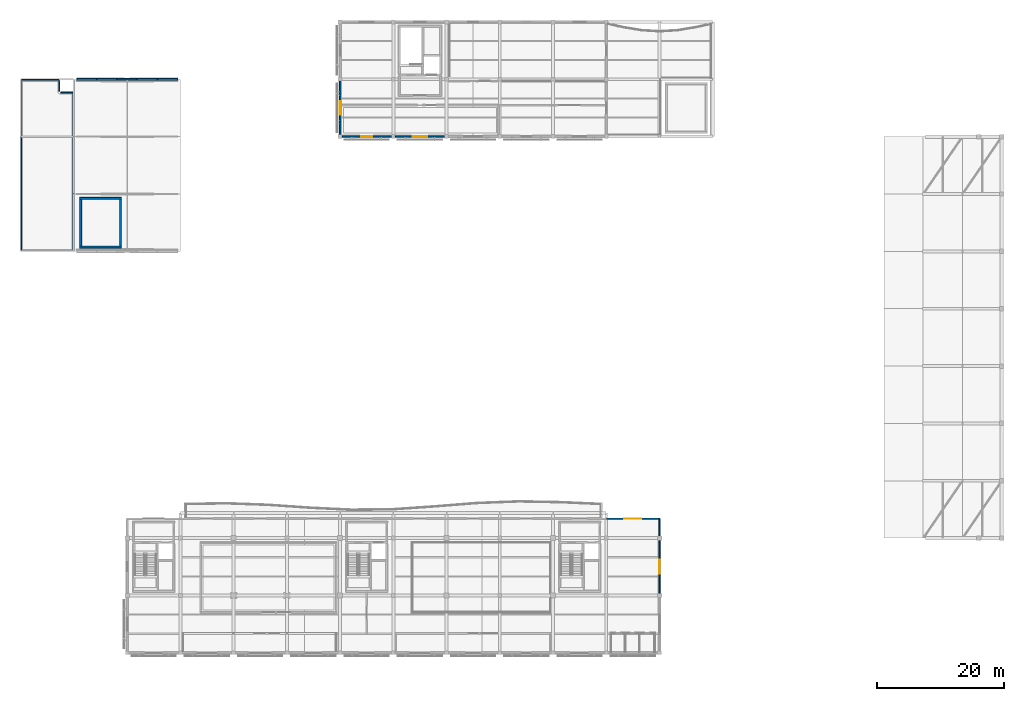
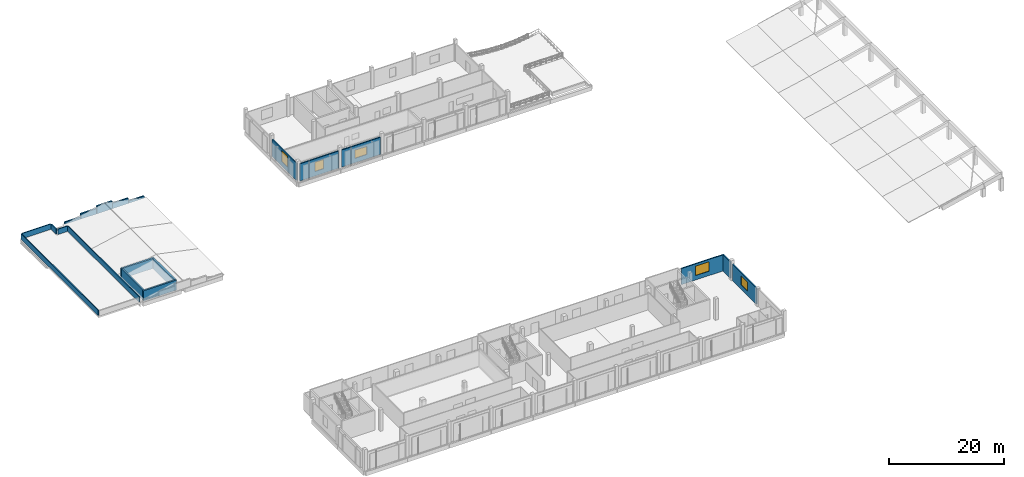
# One storey, part 18 of 28: 20 walls, 5 windows, 5 openings.
"""IFC4 building model written with IfcOpenShell, lengths in metres."""

from ifc_helpers import new_model, si_unit, direction, frame, frame_2d, origin, place, context, subcontext, project, spatial, rectangle, extrude, material, layer, layer_set, type_object, element, fill, save


model = new_model("IFC4")

# Units and contexts
model_context = context("Model", 3, precision=1e-05, world=origin(), true_north=direction((0.0, 1.0)))
body_context = subcontext(model_context, "Body", "Model", "MODEL_VIEW")
ifc_project = project(units=[si_unit("LENGTHUNIT", "METRE"), si_unit("AREAUNIT", "SQUARE_METRE"), si_unit("VOLUMEUNIT", "CUBIC_METRE"), si_unit("PLANEANGLEUNIT", "RADIAN"), si_unit("MASSUNIT", "GRAM", prefix="KILO")], contexts=[model_context])

# Site, building, storey
site_placement = place(None, origin())
site = spatial("IfcSite", under=ifc_project, at=site_placement, CompositionType="ELEMENT")
building_placement = place(site_placement, origin())
building = spatial("IfcBuilding", under=site, at=building_placement, Name="Khurvash Pelagic Aquarium", CompositionType="ELEMENT")
storey_placement = place(building_placement, frame((0.0, 0.0, 20.10009765625)))
storey = spatial("IfcBuildingStorey", under=building, at=storey_placement, Name="L04", CompositionType="ELEMENT", Elevation=20.10009765625)

# Wall, opening, window
ifc_material_1 = material(Name="Glass-fibre reinforced concrete C40/50", Category="concrete")
ifc_layer_1 = layer(ifc_material_1, 0.219970703125)
ifc_layer_set_1 = layer_set([ifc_layer_1], Name="Glass-fibre reinforced concrete C40/50")
wall_type_1 = type_object("IfcWallType", Name="EW-220", PredefinedType="STANDARD", material=ifc_layer_set_1)
wall_1_placement = place(storey_placement, frame((109.199951171875, 12.0048828125, 0.0), z_axis=(0.0, 0.0, 1.0), x_axis=(0.0, 1.0, 0.0)))
wall_1 = element("IfcWall", 1, at=wall_1_placement, inside=storey, type_object=wall_type_1, Name="L04 Exterior Architectural Facade Wall EW-220 0174", PredefinedType="STANDARD", context=body_context, shape_type="SweptSolid", body=[
    extrude(rectangle(XDim=8.340087890625, YDim=0.219970703125, at=frame_2d((4.169921875, 0.0))), origin(), (0.0, 0.0, 1.0), 3.50390625),
])
opening_1_placement = place(wall_1_placement, frame((3.070068359375, 0.0, 0.949951171875)))
opening_1 = element("IfcOpeningElement", 2, at=opening_1_placement, cuts=wall_1, Name="Opening WN-08", PredefinedType="OPENING", context=body_context, shape_type="SweptSolid", body=[
    extrude(rectangle(XDim=2.199951171875, YDim=1.89990234375, at=frame_2d((1.10009765625, 0.949951171875))), frame((0.0, 0.1201171875, 0.0), z_axis=(0.0, -1.0, 0.0), x_axis=(1.0, 0.0, 0.0)), (0.0, 0.0, 1.0), 0.239990234375),
])
ifc_material_2 = material(Name="Thermally broken aluminium and low-E glass", Category="aluminium")
window_type_1 = type_object("IfcWindowType", Name="WN-08", PartitioningType="SINGLE_PANEL", PredefinedType="WINDOW", material=ifc_material_2)
window_1_placement = place(opening_1_placement, origin())
window_1 = element("IfcWindow", 3, at=window_1_placement, inside=storey, type_object=window_type_1, Name="L04 Facade Window WN-08 0118", OverallHeight=1.89990234375, OverallWidth=2.199951171875, PartitioningType="SINGLE_PANEL", PredefinedType="WINDOW", context=body_context, shape_type="SweptSolid", body=[
    extrude(rectangle(XDim=2.199951171875, YDim=1.89990234375, at=frame_2d((1.10009765625, 0.949951171875))), frame((0.0, 0.030029296875, 0.0), z_axis=(0.0, -1.0, 0.0), x_axis=(1.0, 0.0, 0.0)), (0.0, 0.0, 1.0), 0.06005859375),
])
fill(opening_1, window_1)

# Wall
wall_2_placement = place(storey_placement, frame((109.199951171875, 21.054931640625, 0.0), z_axis=(0.0, 0.0, 1.0), x_axis=(0.0, 1.0, 0.0)))
element("IfcWall", 4, at=wall_2_placement, inside=storey, type_object=wall_type_1, Name="L04 Exterior Architectural Facade Wall EW-220 0175", PredefinedType="STANDARD", context=body_context, shape_type="SweptSolid", body=[
    extrude(rectangle(XDim=2.695068359375, YDim=0.219970703125, at=frame_2d((1.34765625, 0.0))), origin(), (0.0, 0.0, 1.0), 3.50390625),
])

# Wall, opening, window
wall_3_placement = place(storey_placement, frame((109.199951171875, 23.75, 0.0), z_axis=(0.0, 0.0, 1.0), x_axis=(-1.0, 0.0, 0.0)))
wall_3 = element("IfcWall", 5, at=wall_3_placement, inside=storey, type_object=wall_type_1, Name="L04 Exterior Architectural Facade Wall EW-220 0176", PredefinedType="STANDARD", context=body_context, shape_type="SweptSolid", body=[
    extrude(rectangle(XDim=8.39990234375, YDim=0.219970703125, at=frame_2d((4.199951171875, 0.0))), origin(), (0.0, 0.0, 1.0), 3.427978515625),
])
opening_2_placement = place(wall_3_placement, frame((2.85009765625, 0.0, 0.949951171875)))
opening_2 = element("IfcOpeningElement", 6, at=opening_2_placement, cuts=wall_3, Name="Opening WN-09", PredefinedType="OPENING", context=body_context, shape_type="SweptSolid", body=[
    extrude(rectangle(XDim=2.699951171875, YDim=2.0, at=frame_2d((1.35009765625, 1.0))), frame((0.0, 0.1201171875, 0.0), z_axis=(0.0, -1.0, 0.0), x_axis=(1.0, 0.0, 0.0)), (0.0, 0.0, 1.0), 0.239990234375),
])
window_type_2 = type_object("IfcWindowType", Name="WN-09", PartitioningType="SINGLE_PANEL", PredefinedType="WINDOW", material=ifc_material_2)
window_2_placement = place(opening_2_placement, origin())
window_2 = element("IfcWindow", 7, at=window_2_placement, inside=storey, type_object=window_type_2, Name="L04 Facade Window WN-09 0119", OverallHeight=2.0, OverallWidth=2.699951171875, PartitioningType="SINGLE_PANEL", PredefinedType="WINDOW", context=body_context, shape_type="SweptSolid", body=[
    extrude(rectangle(XDim=2.699951171875, YDim=2.0, at=frame_2d((1.35009765625, 1.0))), frame((0.0, 0.030029296875, 0.0), z_axis=(0.0, -1.0, 0.0), x_axis=(1.0, 0.0, 0.0)), (0.0, 0.0, 1.0), 0.06005859375),
])
fill(opening_2, window_2)

wall_4_placement = place(storey_placement, frame((59.10498046875, 84.050048828125, 0.0), z_axis=(0.0, 0.0, 1.0), x_axis=(1.0, 0.0, 0.0)))
wall_4 = element("IfcWall", 8, at=wall_4_placement, inside=storey, type_object=wall_type_1, Name="L04 Exterior Architectural Facade Wall EW-220 0189", PredefinedType="STANDARD", context=body_context, shape_type="SweptSolid", body=[
    extrude(rectangle(XDim=7.7900390625, YDim=0.219970703125, at=frame_2d((3.89501953125, 0.0))), origin(), (0.0, 0.0, 1.0), 3.630859375),
])
opening_3_placement = place(wall_4_placement, frame((3.02001953125, 0.0, 0.949951171875)))
opening_3 = element("IfcOpeningElement", 9, at=opening_3_placement, cuts=wall_4, Name="Opening WN-22", PredefinedType="OPENING", context=body_context, shape_type="SweptSolid", body=[
    extrude(rectangle(XDim=1.75, YDim=1.949951171875, at=frame_2d((0.875, 0.97509765625))), frame((0.0, 0.1201171875, 0.0), z_axis=(0.0, -1.0, 0.0), x_axis=(1.0, 0.0, 0.0)), (0.0, 0.0, 1.0), 0.239990234375),
])
window_type_3 = type_object("IfcWindowType", Name="WN-22", PartitioningType="SINGLE_PANEL", PredefinedType="WINDOW", material=ifc_material_2)
window_3_placement = place(opening_3_placement, origin())
window_3 = element("IfcWindow", 10, at=window_3_placement, inside=storey, type_object=window_type_3, Name="L04 Facade Window WN-22 0125", OverallHeight=1.949951171875, OverallWidth=1.75, PartitioningType="SINGLE_PANEL", PredefinedType="WINDOW", context=body_context, shape_type="SweptSolid", body=[
    extrude(rectangle(XDim=1.75, YDim=1.949951171875, at=frame_2d((0.875, 0.97509765625))), frame((0.0, 0.030029296875, 0.0), z_axis=(0.0, -1.0, 0.0), x_axis=(1.0, 0.0, 0.0)), (0.0, 0.0, 1.0), 0.06005859375),
])
fill(opening_3, window_3)

wall_5_placement = place(storey_placement, frame((67.5048828125, 84.050048828125, 0.0), z_axis=(0.0, 0.0, 1.0), x_axis=(1.0, 0.0, 0.0)))
wall_5 = element("IfcWall", 11, at=wall_5_placement, inside=storey, type_object=wall_type_1, Name="L04 Exterior Architectural Facade Wall EW-220 0190", PredefinedType="STANDARD", context=body_context, shape_type="SweptSolid", body=[
    extrude(rectangle(XDim=7.7900390625, YDim=0.219970703125, at=frame_2d((3.89501953125, 0.0))), origin(), (0.0, 0.0, 1.0), 3.630859375),
])
opening_4_placement = place(wall_5_placement, frame((2.719970703125, 0.0, 0.949951171875)))
opening_4 = element("IfcOpeningElement", 12, at=opening_4_placement, cuts=wall_5, Name="Opening WN-24", PredefinedType="OPENING", context=body_context, shape_type="SweptSolid", body=[
    extrude(rectangle(XDim=2.35009765625, YDim=1.699951171875, at=frame_2d((1.175048828125, 0.85009765625))), frame((0.0, 0.1201171875, 0.0), z_axis=(0.0, -1.0, 0.0), x_axis=(1.0, 0.0, 0.0)), (0.0, 0.0, 1.0), 0.239990234375),
])
window_type_4 = type_object("IfcWindowType", Name="WN-24", PartitioningType="SINGLE_PANEL", PredefinedType="WINDOW", material=ifc_material_2)
window_4_placement = place(opening_4_placement, origin())
window_4 = element("IfcWindow", 13, at=window_4_placement, inside=storey, type_object=window_type_4, Name="L04 Facade Window WN-24 0126", OverallHeight=1.699951171875, OverallWidth=2.35009765625, PartitioningType="SINGLE_PANEL", PredefinedType="WINDOW", context=body_context, shape_type="SweptSolid", body=[
    extrude(rectangle(XDim=2.35009765625, YDim=1.699951171875, at=frame_2d((1.175048828125, 0.85009765625))), frame((0.0, 0.030029296875, 0.0), z_axis=(0.0, -1.0, 0.0), x_axis=(1.0, 0.0, 0.0)), (0.0, 0.0, 1.0), 0.06005859375),
])
fill(opening_4, window_4)

wall_6_placement = place(storey_placement, frame((58.800048828125, 92.794921875, 0.0), z_axis=(0.0, 0.0, 1.0), x_axis=(0.0, -1.0, 0.0)))
wall_6 = element("IfcWall", 14, at=wall_6_placement, inside=storey, type_object=wall_type_1, Name="L04 Exterior Architectural Facade Wall EW-220 0202", PredefinedType="STANDARD", context=body_context, shape_type="SweptSolid", body=[
    extrude(rectangle(XDim=8.43994140625, YDim=0.219970703125, at=frame_2d((4.219970703125, 0.0))), origin(), (0.0, 0.0, 1.0), 3.630859375),
])
opening_5_placement = place(wall_6_placement, frame((3.179931640625, 0.0, 0.949951171875)))
opening_5 = element("IfcOpeningElement", 15, at=opening_5_placement, cuts=wall_6, Name="Opening WN-36", PredefinedType="OPENING", context=body_context, shape_type="SweptSolid", body=[
    extrude(rectangle(XDim=2.080078125, YDim=2.280029296875, at=frame_2d((1.0400390625, 1.14013671875))), frame((0.0, 0.1201171875, 0.0), z_axis=(0.0, -1.0, 0.0), x_axis=(1.0, 0.0, 0.0)), (0.0, 0.0, 1.0), 0.239990234375),
])
window_type_5 = type_object("IfcWindowType", Name="WN-36", PartitioningType="SINGLE_PANEL", PredefinedType="WINDOW", material=ifc_material_2)
window_5_placement = place(opening_5_placement, origin())
window_5 = element("IfcWindow", 16, at=window_5_placement, inside=storey, type_object=window_type_5, Name="L04 Facade Window WN-36 0136", OverallHeight=2.280029296875, OverallWidth=2.080078125, PartitioningType="SINGLE_PANEL", PredefinedType="WINDOW", context=body_context, shape_type="SweptSolid", body=[
    extrude(rectangle(XDim=2.080078125, YDim=2.280029296875, at=frame_2d((1.0400390625, 1.14013671875))), frame((0.0, 0.030029296875, 0.0), z_axis=(0.0, -1.0, 0.0), x_axis=(1.0, 0.0, 0.0)), (0.0, 0.0, 1.0), 0.06005859375),
])
fill(opening_5, window_5)

# Walls
ifc_layer_2 = layer(ifc_material_1, 0.280029296875)
ifc_layer_set_2 = layer_set([ifc_layer_2], Name="Glass-fibre reinforced concrete C40/50")
wall_type_2 = type_object("IfcWallType", Name="EW-280", PredefinedType="STANDARD", material=ifc_layer_set_2)
wall_7_placement = place(storey_placement, frame((20.3798828125, 93.10009765625, 0.0), z_axis=(0.0, 0.0, 1.0), x_axis=(-1.0, 0.0, 0.0)))
element("IfcWall", 17, at=wall_7_placement, inside=storey, type_object=wall_type_2, Name="L04 Education Pavilion North Gable Spandrel Wall EW-280 P1", PredefinedType="STANDARD", context=body_context, shape_type="SweptSolid", body=[
    extrude(rectangle(XDim=3.159912109375, YDim=0.280029296875, at=frame_2d((1.580078125, 0.0))), origin(), (0.0, 0.0, 1.0), 0.449951171875),
])
wall_8_placement = place(storey_placement, frame((23.580078125, 93.10009765625, 0.0), z_axis=(0.0, 0.0, 1.0), x_axis=(-1.0, 0.0, 0.0)))
element("IfcWall", 18, at=wall_8_placement, inside=storey, type_object=wall_type_2, Name="L04 Education Pavilion North Gable Spandrel Wall EW-280 P2", PredefinedType="STANDARD", context=body_context, shape_type="SweptSolid", body=[
    extrude(rectangle(XDim=3.16015625, YDim=0.280029296875, at=frame_2d((1.580078125, 0.0))), origin(), (0.0, 0.0, 1.0), 1.119873046875),
])
wall_9_placement = place(storey_placement, frame((26.780029296875, 93.10009765625, 0.0), z_axis=(0.0, 0.0, 1.0), x_axis=(-1.0, 0.0, 0.0)))
element("IfcWall", 19, at=wall_9_placement, inside=storey, type_object=wall_type_2, Name="L04 Education Pavilion North Gable Spandrel Wall EW-280 P3", PredefinedType="STANDARD", context=body_context, shape_type="SweptSolid", body=[
    extrude(rectangle(XDim=3.159912109375, YDim=0.280029296875, at=frame_2d((1.580078125, 0.0))), origin(), (0.0, 0.0, 1.0), 1.619873046875),
])
wall_10_placement = place(storey_placement, frame((29.97998046875, 93.10009765625, 0.0), z_axis=(0.0, 0.0, 1.0), x_axis=(-1.0, 0.0, 0.0)))
element("IfcWall", 20, at=wall_10_placement, inside=storey, type_object=wall_type_2, Name="L04 Education Pavilion North Gable Spandrel Wall EW-280 P4", PredefinedType="STANDARD", context=body_context, shape_type="SweptSolid", body=[
    extrude(rectangle(XDim=3.159912109375, YDim=0.280029296875, at=frame_2d((1.580078125, 0.0))), origin(), (0.0, 0.0, 1.0), 1.119873046875),
])
wall_11_placement = place(storey_placement, frame((33.179931640625, 93.10009765625, 0.0), z_axis=(0.0, 0.0, 1.0), x_axis=(-1.0, 0.0, 0.0)))
element("IfcWall", 21, at=wall_11_placement, inside=storey, type_object=wall_type_2, Name="L04 Education Pavilion North Gable Spandrel Wall EW-280 P5", PredefinedType="STANDARD", context=body_context, shape_type="SweptSolid", body=[
    extrude(rectangle(XDim=3.159912109375, YDim=0.280029296875, at=frame_2d((1.580078125, 0.0))), origin(), (0.0, 0.0, 1.0), 0.449951171875),
])
ifc_material_3 = material(Name="Precast concrete C40/50", Category="concrete")
ifc_layer_3 = layer(ifc_material_3, 0.179931640625)
ifc_layer_set_3 = layer_set([ifc_layer_3], Name="Precast concrete C40/50")
wall_type_3 = type_object("IfcWallType", Name="PP-180", PredefinedType="PARAPET", material=ifc_layer_set_3)
wall_12_placement = place(storey_placement, frame((16.699951171875, 90.89990234375, 0.0), z_axis=(0.0, 0.0, 1.0), x_axis=(0.0, -1.0, 0.0)))
element("IfcWall", 22, at=wall_12_placement, inside=storey, type_object=wall_type_3, Name="L04 Roof Perimeter Parapet Wall PP-180", PredefinedType="PARAPET", context=body_context, shape_type="SweptSolid", body=[
    extrude(rectangle(XDim=24.75, YDim=0.179931640625, at=frame_2d((12.375, 0.0))), origin(), (0.0, 0.0, 1.0), 1.119873046875),
])
wall_13_placement = place(storey_placement, frame((8.5, 66.14990234375, 0.0), z_axis=(0.0, 0.0, 1.0), x_axis=(0.0, 1.0, 0.0)))
element("IfcWall", 23, at=wall_13_placement, inside=storey, type_object=wall_type_3, Name="L04 Roof Perimeter Parapet Wall PP-180", PredefinedType="PARAPET", context=body_context, shape_type="SweptSolid", body=[
    extrude(rectangle(XDim=26.75, YDim=0.179931640625, at=frame_2d((13.375, 0.0))), origin(), (0.0, 0.0, 1.0), 1.119873046875),
])
wall_14_placement = place(storey_placement, frame((8.60009765625, 93.0, 0.0), z_axis=(0.0, 0.0, 1.0), x_axis=(1.0, 0.0, 0.0)))
element("IfcWall", 24, at=wall_14_placement, inside=storey, type_object=wall_type_3, Name="L04 Roof Perimeter Parapet Wall PP-180", PredefinedType="PARAPET", context=body_context, shape_type="SweptSolid", body=[
    extrude(rectangle(XDim=5.7998046875, YDim=0.179931640625, at=frame_2d((2.89990234375, 0.0))), origin(), (0.0, 0.0, 1.0), 1.119873046875),
])
wall_15_placement = place(storey_placement, frame((14.5, 92.89990234375, 0.0), z_axis=(0.0, 0.0, 1.0), x_axis=(0.0, -1.0, 0.0)))
element("IfcWall", 25, at=wall_15_placement, inside=storey, type_object=wall_type_3, Name="L04 Roof Perimeter Parapet Wall PP-180", PredefinedType="PARAPET", context=body_context, shape_type="SweptSolid", body=[
    extrude(rectangle(XDim=1.699951171875, YDim=0.179931640625, at=frame_2d((0.85009765625, 0.0))), origin(), (0.0, 0.0, 1.0), 1.119873046875),
])
wall_16_placement = place(storey_placement, frame((14.699951171875, 91.0, 0.0), z_axis=(0.0, 0.0, 1.0), x_axis=(1.0, 0.0, 0.0)))
element("IfcWall", 26, at=wall_16_placement, inside=storey, type_object=wall_type_3, Name="L04 Roof Perimeter Parapet Wall PP-180", PredefinedType="PARAPET", context=body_context, shape_type="SweptSolid", body=[
    extrude(rectangle(XDim=1.900146484375, YDim=0.179931640625, at=frame_2d((0.9501953125, 0.0))), origin(), (0.0, 0.0, 1.0), 1.119873046875),
])
ifc_material_4 = material(Name="Concrete C40/50", Category="concrete")
ifc_layer_4 = layer(ifc_material_4, 0.31494140625)
ifc_layer_set_4 = layer_set([ifc_layer_4], Name="Concrete C40/50")
wall_type_4 = type_object("IfcWallType", Name="SW-315", PredefinedType="SHEAR", material=ifc_layer_set_4)
for number, where, z_axis, x_axis, name in (
    (27, (17.699951171875, 66.60009765625, -0.300048828125), (0.0, 0.0, 1.0), (1.0, 0.0, 0.0), "L04 Core C5 Overrun Penthouse Wall SW-315"),
    (28, (17.699951171875, 74.300048828125, -0.300048828125), (0.0, 0.0, 1.0), (1.0, 0.0, 0.0), "L04 Core C5 Overrun Penthouse Wall SW-315"),
):
    element("IfcWall", number, at=place(storey_placement, frame(where, z_axis=z_axis, x_axis=x_axis)), inside=storey, type_object=wall_type_4, Name=name, PredefinedType="SHEAR", context=body_context, shape_type="SweptSolid", body=[
        extrude(rectangle(XDim=6.60009765625, YDim=0.31494140625, at=frame_2d((3.300048828125, 0.0))), origin(), (0.0, 0.0, 1.0), 2.14990234375),
    ])
for number, where, z_axis, x_axis, name in (
    (29, (17.85009765625, 66.75, -0.300048828125), (0.0, 0.0, 1.0), (0.0, 1.0, 0.0), "L04 Core C5 Overrun Penthouse Wall SW-315"),
    (30, (24.14990234375, 66.75, -0.300048828125), (0.0, 0.0, 1.0), (0.0, 1.0, 0.0), "L04 Core C5 Overrun Penthouse Wall SW-315"),
):
    element("IfcWall", number, at=place(storey_placement, frame(where, z_axis=z_axis, x_axis=x_axis)), inside=storey, type_object=wall_type_4, Name=name, PredefinedType="SHEAR", context=body_context, shape_type="SweptSolid", body=[
        extrude(rectangle(XDim=7.39990234375, YDim=0.31494140625, at=frame_2d((3.699951171875, 0.0))), origin(), (0.0, 0.0, 1.0), 2.14990234375),
    ])

save(model, "model.ifc")
